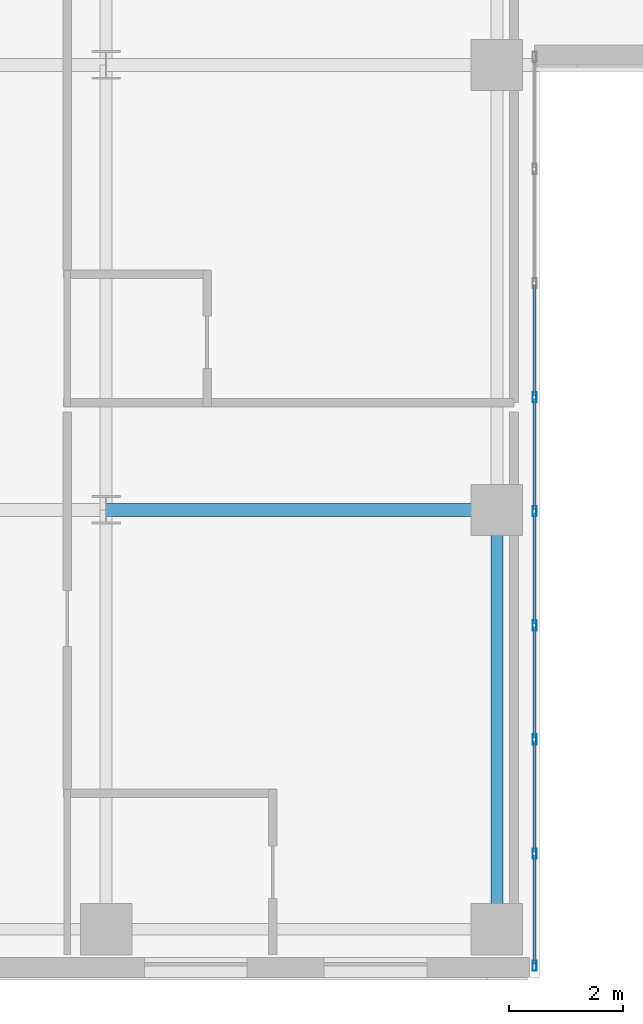
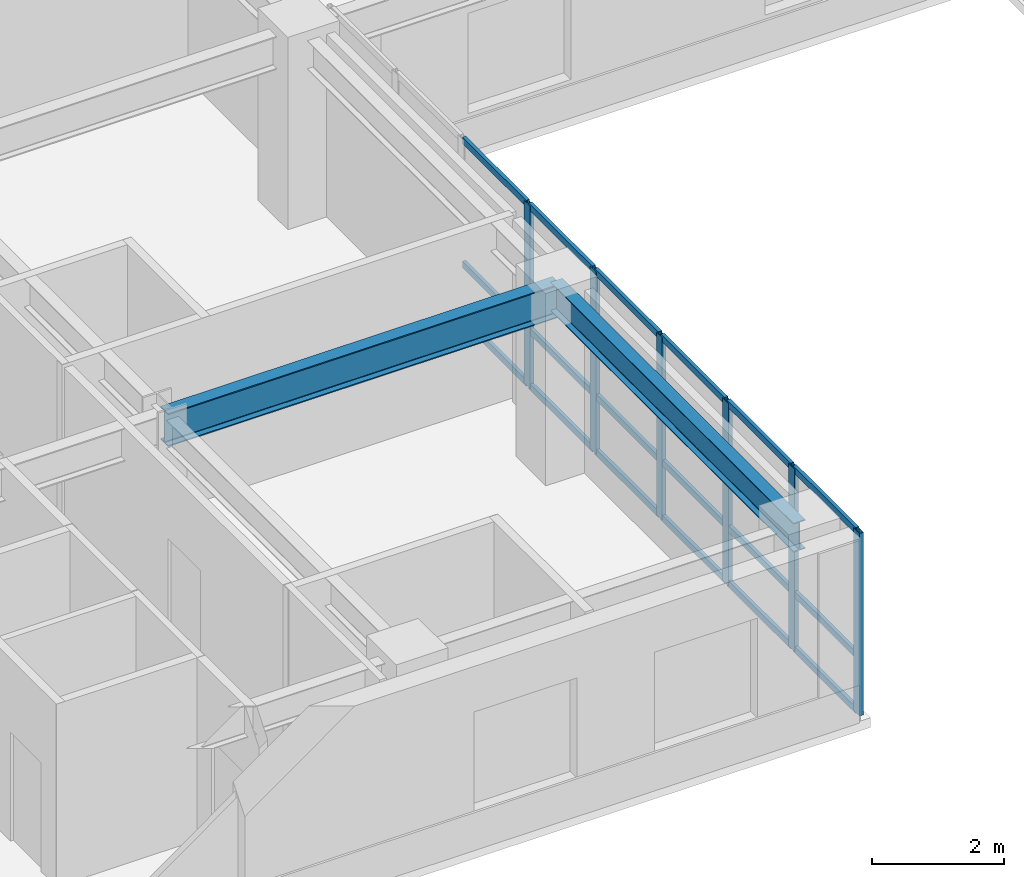
# One storey, part 2 of 24: 24 members, 2 beams, 1 element without a shape of its own.
"""IFC4 building model written with IfcOpenShell, lengths in metres."""

from ifc_helpers import new_model, si_unit, direction, frame, origin, origin_2d, place, context, subcontext, project, spatial, hollow_rectangle, i_section, extrude, source, transform, mapped, material, layer, layer_set, material_profile, profile_set, type_object, type_shapes, element, aggregate, save


model = new_model("IFC4")

# Units and contexts
model_context = context("Model", 3, precision=1e-05, world=origin(), true_north=direction((0.0, 1.0)))
body_context = subcontext(model_context, "Body", "Model", "MODEL_VIEW")
ifc_project = project(units=[si_unit("LENGTHUNIT", "METRE"), si_unit("AREAUNIT", "SQUARE_METRE"), si_unit("VOLUMEUNIT", "CUBIC_METRE"), si_unit("PLANEANGLEUNIT", "RADIAN"), si_unit("MASSUNIT", "GRAM", prefix="KILO")], contexts=[model_context])

# Site, building, storey
site_placement = place(None, origin())
site = spatial("IfcSite", under=ifc_project, at=site_placement, CompositionType="ELEMENT")
building_placement = place(site_placement, origin())
building = spatial("IfcBuilding", under=site, at=building_placement, Name="Tolvann Quenvar Hotel", CompositionType="ELEMENT")
storey_placement = place(building_placement, frame((0.0, 0.0, 81.699951171875)))
storey = spatial("IfcBuildingStorey", under=building, at=storey_placement, Name="L20", CompositionType="ELEMENT", Elevation=81.699951171875)

# Beams
ifc_material_1 = material(Name="Steel Grade 350", Category="steel")
ifc_material_profile_1 = material_profile(ifc_material_1, i_section(OverallWidth=0.22900390625, OverallDepth=0.612060546875, WebThickness=0.011962890625, FlangeThickness=0.01953125, FilletRadius=0.013916015625, at=origin_2d()), Name="610UB125")
ifc_profile_set_1 = profile_set([ifc_material_profile_1], Name="Steel Grade 350")
beam_type_1 = type_object("IfcBeamType", Name="BM_GIRD_610UB125", PredefinedType="BEAM", material=ifc_profile_set_1)
shared_shape_1 = source(origin(), body_context, "Body", "SweptSolid", [
    extrude(i_section(OverallWidth=0.22900390625, OverallDepth=0.612060546875, WebThickness=0.011962890625, FlangeThickness=0.01953125, FilletRadius=0.013916015625, at=origin_2d()), origin(), (0.0, 0.0, 1.0), 6.85009765625),
])
type_shapes(beam_type_1, [shared_shape_1])
beam_1_placement = place(storey_placement, frame((15.199951171875, 8.199951171875, 3.06396484375), z_axis=(1.0, 0.0, 0.0), x_axis=(0.0, 1.0, 0.0)))
element("IfcBeam", 1, at=beam_1_placement, inside=storey, type_object=beam_type_1, Name="BM-L20-EW-3-D3-E3", PredefinedType="BEAM", context=body_context, shape_type="MappedRepresentation", body=[
    mapped(shared_shape_1, transform((0.0, 0.0, 0.0), x_axis=(1.0, 0.0, 0.0), y_axis=(0.0, 1.0, 0.0), z_axis=(0.0, 0.0, 1.0), scale=1.0)),
])
ifc_material_profile_2 = material_profile(ifc_material_1, i_section(OverallWidth=0.208984375, OverallDepth=0.532958984375, WebThickness=0.01025390625, FlangeThickness=0.015625, FilletRadius=0.013916015625, at=origin_2d()), Name="530UB92")
ifc_profile_set_2 = profile_set([ifc_material_profile_2], Name="Steel Grade 350")
beam_type_2 = type_object("IfcBeamType", Name="BM_GIRD_530UB92", PredefinedType="BEAM", material=ifc_profile_set_2)
shared_shape_2 = source(origin(), body_context, "Body", "SweptSolid", [
    extrude(i_section(OverallWidth=0.208984375, OverallDepth=0.532958984375, WebThickness=0.01025390625, FlangeThickness=0.015625, FilletRadius=0.013916015625, at=origin_2d()), origin(), (0.0, 0.0, 1.0), 7.349853515625),
])
type_shapes(beam_type_2, [shared_shape_2])
beam_2_placement = place(storey_placement, frame((22.050048828125, 0.85009765625, 3.103515625), z_axis=(0.0, 1.0, 0.0), x_axis=(-1.0, 0.0, 0.0)))
element("IfcBeam", 2, at=beam_2_placement, inside=storey, type_object=beam_type_2, Name="BM-L20-NS-E2-E3", PredefinedType="BEAM", context=body_context, shape_type="MappedRepresentation", body=[
    mapped(shared_shape_2, transform((0.0, 0.0, 0.0), x_axis=(1.0, 0.0, 0.0), y_axis=(0.0, 1.0, 0.0), z_axis=(0.0, 0.0, 1.0), scale=1.0)),
])

# Curtain wall, members
ifc_material_2 = material(Name="Thermally broken anodised architectural aluminium 6063-T6 and laminated low-E glass", Category="aluminium")
ifc_layer = layer(ifc_material_2, 0.179931640625)
ifc_layer_set = layer_set([ifc_layer], Name="Thermally broken anodised architectural aluminium 6063-T6 and laminated low-E glass")
curtain_wall_type = type_object("IfcCurtainWallType", Name="CW_SYS_SLOT_03", PredefinedType="USERDEFINED", material=ifc_layer_set)
curtain_wall_placement = place(storey_placement, origin())
curtain_wall = element("IfcCurtainWall", 3, at=curtain_wall_placement, inside=storey, type_object=curtain_wall_type, Name="Curtain Wall CW-SLOT-03 (CWR-L20-E05)", ObjectType="UNITISED CURTAIN WALL", PredefinedType="USERDEFINED")
ifc_material_3 = material(Name="Anodised architectural aluminium 6063-T6 framing", Category="aluminium")
ifc_material_profile_3 = material_profile(ifc_material_3, hollow_rectangle(XDim=0.070068359375, YDim=0.179931640625, WallThickness=0.00390625, at=origin_2d()), Name="180x70x4RHS")
ifc_profile_set_3 = profile_set([ifc_material_profile_3], Name="Anodised architectural aluminium 6063-T6 framing")
member_type_1 = type_object("IfcMemberType", Name="CW_MULL_180x70", PredefinedType="MULLION", material=ifc_profile_set_3)
shared_shape_3 = source(origin(), body_context, "Body", "SweptSolid", [
    extrude(hollow_rectangle(XDim=0.070068359375, YDim=0.179931640625, WallThickness=0.00390625, at=origin_2d()), origin(), (0.0, 0.0, 1.0), 3.3701171875),
])
type_shapes(member_type_1, [shared_shape_3])
member_1_placement = place(storey_placement, frame((22.7099609375, 0.2099609375, 0.0), z_axis=(0.0, 0.0, 1.0), x_axis=(-1.0, 0.0, 0.0)))
member_1 = element("IfcMember", 4, at=member_1_placement, type_object=member_type_1, Name="CW-SLOT-03 mullion 1", PredefinedType="MULLION", context=body_context, shape_type="MappedRepresentation", body=[
    mapped(shared_shape_3, transform((0.0, 0.0, 0.0), x_axis=(1.0, 0.0, 0.0), y_axis=(0.0, 1.0, 0.0), z_axis=(0.0, 0.0, 1.0), scale=1.0)),
])
member_2_placement = place(storey_placement, frame((22.7099609375, 2.175048828125, 0.0), z_axis=(0.0, 0.0, 1.0), x_axis=(-1.0, 0.0, 0.0)))
member_2 = element("IfcMember", 5, at=member_2_placement, type_object=member_type_1, Name="CW-SLOT-03 mullion 2", PredefinedType="MULLION", context=body_context, shape_type="MappedRepresentation", body=[
    mapped(shared_shape_3, transform((0.0, 0.0, 0.0), x_axis=(1.0, 0.0, 0.0), y_axis=(0.0, 1.0, 0.0), z_axis=(0.0, 0.0, 1.0), scale=1.0)),
])
member_3_placement = place(storey_placement, frame((22.7099609375, 4.175048828125, 0.0), z_axis=(0.0, 0.0, 1.0), x_axis=(-1.0, 0.0, 0.0)))
member_3 = element("IfcMember", 6, at=member_3_placement, type_object=member_type_1, Name="CW-SLOT-03 mullion 3", PredefinedType="MULLION", context=body_context, shape_type="MappedRepresentation", body=[
    mapped(shared_shape_3, transform((0.0, 0.0, 0.0), x_axis=(1.0, 0.0, 0.0), y_axis=(0.0, 1.0, 0.0), z_axis=(0.0, 0.0, 1.0), scale=1.0)),
])
member_4_placement = place(storey_placement, frame((22.7099609375, 6.175048828125, 0.0), z_axis=(0.0, 0.0, 1.0), x_axis=(-1.0, 0.0, 0.0)))
member_4 = element("IfcMember", 7, at=member_4_placement, type_object=member_type_1, Name="CW-SLOT-03 mullion 4", PredefinedType="MULLION", context=body_context, shape_type="MappedRepresentation", body=[
    mapped(shared_shape_3, transform((0.0, 0.0, 0.0), x_axis=(1.0, 0.0, 0.0), y_axis=(0.0, 1.0, 0.0), z_axis=(0.0, 0.0, 1.0), scale=1.0)),
])
member_5_placement = place(storey_placement, frame((22.7099609375, 8.175048828125, 0.0), z_axis=(0.0, 0.0, 1.0), x_axis=(-1.0, 0.0, 0.0)))
member_5 = element("IfcMember", 8, at=member_5_placement, type_object=member_type_1, Name="CW-SLOT-03 mullion 5", PredefinedType="MULLION", context=body_context, shape_type="MappedRepresentation", body=[
    mapped(shared_shape_3, transform((0.0, 0.0, 0.0), x_axis=(1.0, 0.0, 0.0), y_axis=(0.0, 1.0, 0.0), z_axis=(0.0, 0.0, 1.0), scale=1.0)),
])
member_6_placement = place(storey_placement, frame((22.7099609375, 10.175048828125, 0.0), z_axis=(0.0, 0.0, 1.0), x_axis=(-1.0, 0.0, 0.0)))
member_6 = element("IfcMember", 9, at=member_6_placement, type_object=member_type_1, Name="CW-SLOT-03 mullion 6", PredefinedType="MULLION", context=body_context, shape_type="MappedRepresentation", body=[
    mapped(shared_shape_3, transform((0.0, 0.0, 0.0), x_axis=(1.0, 0.0, 0.0), y_axis=(0.0, 1.0, 0.0), z_axis=(0.0, 0.0, 1.0), scale=1.0)),
])
ifc_material_profile_4 = material_profile(ifc_material_3, hollow_rectangle(XDim=0.06005859375, YDim=0.1201171875, WallThickness=0.00341796875, at=origin_2d()), Name="120x60x3.5RHS")
ifc_profile_set_4 = profile_set([ifc_material_profile_4], Name="Anodised architectural aluminium 6063-T6 framing")
member_type_2 = type_object("IfcMemberType", Name="CW_TRAN_120x60", PredefinedType="USERDEFINED", material=ifc_profile_set_4)
shared_shape_4 = source(origin(), body_context, "Body", "SweptSolid", [
    extrude(hollow_rectangle(XDim=0.06005859375, YDim=0.1201171875, WallThickness=0.00341796875, at=origin_2d()), origin(), (0.0, 0.0, 1.0), 1.894775390625),
])
member_7_placement = place(storey_placement, frame((22.7099609375, 0.2451171875, 0.030029296875), z_axis=(0.0, 1.0, 0.0), x_axis=(-1.0, 0.0, 0.0)))
member_7 = element("IfcMember", 10, at=member_7_placement, type_object=member_type_2, Name="CW-SLOT-03 transom 1.1", ObjectType="TRANSOM", PredefinedType="USERDEFINED", context=body_context, shape_type="MappedRepresentation", body=[
    mapped(shared_shape_4, transform((0.0, 0.0, 0.0), x_axis=(1.0, 0.0, 0.0), y_axis=(0.0, 1.0, 0.0), z_axis=(0.0, 0.0, 1.0), scale=1.0)),
])
member_8_placement = place(storey_placement, frame((22.7099609375, 0.2451171875, 1.050048828125), z_axis=(0.0, 1.0, 0.0), x_axis=(-1.0, 0.0, 0.0)))
member_8 = element("IfcMember", 11, at=member_8_placement, type_object=member_type_2, Name="CW-SLOT-03 transom 1.2", ObjectType="TRANSOM", PredefinedType="USERDEFINED", context=body_context, shape_type="MappedRepresentation", body=[
    mapped(shared_shape_4, transform((0.0, 0.0, 0.0), x_axis=(1.0, 0.0, 0.0), y_axis=(0.0, 1.0, 0.0), z_axis=(0.0, 0.0, 1.0), scale=1.0)),
])
member_9_placement = place(storey_placement, frame((22.7099609375, 0.2451171875, 3.340087890625), z_axis=(0.0, 1.0, 0.0), x_axis=(-1.0, 0.0, 0.0)))
member_9 = element("IfcMember", 12, at=member_9_placement, type_object=member_type_2, Name="CW-SLOT-03 transom 1.3", ObjectType="TRANSOM", PredefinedType="USERDEFINED", context=body_context, shape_type="MappedRepresentation", body=[
    mapped(shared_shape_4, transform((0.0, 0.0, 0.0), x_axis=(1.0, 0.0, 0.0), y_axis=(0.0, 1.0, 0.0), z_axis=(0.0, 0.0, 1.0), scale=1.0)),
])
shared_shape_5 = source(origin(), body_context, "Body", "SweptSolid", [
    extrude(hollow_rectangle(XDim=0.06005859375, YDim=0.1201171875, WallThickness=0.00341796875, at=origin_2d()), origin(), (0.0, 0.0, 1.0), 1.929931640625),
])
type_shapes(member_type_2, [shared_shape_4, shared_shape_5])
member_10_placement = place(storey_placement, frame((22.7099609375, 2.2099609375, 0.030029296875), z_axis=(0.0, 1.0, 0.0), x_axis=(-1.0, 0.0, 0.0)))
member_10 = element("IfcMember", 13, at=member_10_placement, type_object=member_type_2, Name="CW-SLOT-03 transom 2.1", ObjectType="TRANSOM", PredefinedType="USERDEFINED", context=body_context, shape_type="MappedRepresentation", body=[
    mapped(shared_shape_5, transform((0.0, 0.0, 0.0), x_axis=(1.0, 0.0, 0.0), y_axis=(0.0, 1.0, 0.0), z_axis=(0.0, 0.0, 1.0), scale=1.0)),
])
member_11_placement = place(storey_placement, frame((22.7099609375, 2.2099609375, 1.050048828125), z_axis=(0.0, 1.0, 0.0), x_axis=(-1.0, 0.0, 0.0)))
member_11 = element("IfcMember", 14, at=member_11_placement, type_object=member_type_2, Name="CW-SLOT-03 transom 2.2", ObjectType="TRANSOM", PredefinedType="USERDEFINED", context=body_context, shape_type="MappedRepresentation", body=[
    mapped(shared_shape_5, transform((0.0, 0.0, 0.0), x_axis=(1.0, 0.0, 0.0), y_axis=(0.0, 1.0, 0.0), z_axis=(0.0, 0.0, 1.0), scale=1.0)),
])
member_12_placement = place(storey_placement, frame((22.7099609375, 2.2099609375, 3.340087890625), z_axis=(0.0, 1.0, 0.0), x_axis=(-1.0, 0.0, 0.0)))
member_12 = element("IfcMember", 15, at=member_12_placement, type_object=member_type_2, Name="CW-SLOT-03 transom 2.3", ObjectType="TRANSOM", PredefinedType="USERDEFINED", context=body_context, shape_type="MappedRepresentation", body=[
    mapped(shared_shape_5, transform((0.0, 0.0, 0.0), x_axis=(1.0, 0.0, 0.0), y_axis=(0.0, 1.0, 0.0), z_axis=(0.0, 0.0, 1.0), scale=1.0)),
])
member_13_placement = place(storey_placement, frame((22.7099609375, 4.2099609375, 0.030029296875), z_axis=(0.0, 1.0, 0.0), x_axis=(-1.0, 0.0, 0.0)))
member_13 = element("IfcMember", 16, at=member_13_placement, type_object=member_type_2, Name="CW-SLOT-03 transom 3.1", ObjectType="TRANSOM", PredefinedType="USERDEFINED", context=body_context, shape_type="MappedRepresentation", body=[
    mapped(shared_shape_5, transform((0.0, 0.0, 0.0), x_axis=(1.0, 0.0, 0.0), y_axis=(0.0, 1.0, 0.0), z_axis=(0.0, 0.0, 1.0), scale=1.0)),
])
member_14_placement = place(storey_placement, frame((22.7099609375, 4.2099609375, 1.050048828125), z_axis=(0.0, 1.0, 0.0), x_axis=(-1.0, 0.0, 0.0)))
member_14 = element("IfcMember", 17, at=member_14_placement, type_object=member_type_2, Name="CW-SLOT-03 transom 3.2", ObjectType="TRANSOM", PredefinedType="USERDEFINED", context=body_context, shape_type="MappedRepresentation", body=[
    mapped(shared_shape_5, transform((0.0, 0.0, 0.0), x_axis=(1.0, 0.0, 0.0), y_axis=(0.0, 1.0, 0.0), z_axis=(0.0, 0.0, 1.0), scale=1.0)),
])
member_15_placement = place(storey_placement, frame((22.7099609375, 4.2099609375, 3.340087890625), z_axis=(0.0, 1.0, 0.0), x_axis=(-1.0, 0.0, 0.0)))
member_15 = element("IfcMember", 18, at=member_15_placement, type_object=member_type_2, Name="CW-SLOT-03 transom 3.3", ObjectType="TRANSOM", PredefinedType="USERDEFINED", context=body_context, shape_type="MappedRepresentation", body=[
    mapped(shared_shape_5, transform((0.0, 0.0, 0.0), x_axis=(1.0, 0.0, 0.0), y_axis=(0.0, 1.0, 0.0), z_axis=(0.0, 0.0, 1.0), scale=1.0)),
])
member_16_placement = place(storey_placement, frame((22.7099609375, 6.2099609375, 0.030029296875), z_axis=(0.0, 1.0, 0.0), x_axis=(-1.0, 0.0, 0.0)))
member_16 = element("IfcMember", 19, at=member_16_placement, type_object=member_type_2, Name="CW-SLOT-03 transom 4.1", ObjectType="TRANSOM", PredefinedType="USERDEFINED", context=body_context, shape_type="MappedRepresentation", body=[
    mapped(shared_shape_5, transform((0.0, 0.0, 0.0), x_axis=(1.0, 0.0, 0.0), y_axis=(0.0, 1.0, 0.0), z_axis=(0.0, 0.0, 1.0), scale=1.0)),
])
member_17_placement = place(storey_placement, frame((22.7099609375, 6.2099609375, 1.050048828125), z_axis=(0.0, 1.0, 0.0), x_axis=(-1.0, 0.0, 0.0)))
member_17 = element("IfcMember", 20, at=member_17_placement, type_object=member_type_2, Name="CW-SLOT-03 transom 4.2", ObjectType="TRANSOM", PredefinedType="USERDEFINED", context=body_context, shape_type="MappedRepresentation", body=[
    mapped(shared_shape_5, transform((0.0, 0.0, 0.0), x_axis=(1.0, 0.0, 0.0), y_axis=(0.0, 1.0, 0.0), z_axis=(0.0, 0.0, 1.0), scale=1.0)),
])
member_18_placement = place(storey_placement, frame((22.7099609375, 6.2099609375, 3.340087890625), z_axis=(0.0, 1.0, 0.0), x_axis=(-1.0, 0.0, 0.0)))
member_18 = element("IfcMember", 21, at=member_18_placement, type_object=member_type_2, Name="CW-SLOT-03 transom 4.3", ObjectType="TRANSOM", PredefinedType="USERDEFINED", context=body_context, shape_type="MappedRepresentation", body=[
    mapped(shared_shape_5, transform((0.0, 0.0, 0.0), x_axis=(1.0, 0.0, 0.0), y_axis=(0.0, 1.0, 0.0), z_axis=(0.0, 0.0, 1.0), scale=1.0)),
])
member_19_placement = place(storey_placement, frame((22.7099609375, 8.2099609375, 0.030029296875), z_axis=(0.0, 1.0, 0.0), x_axis=(-1.0, 0.0, 0.0)))
member_19 = element("IfcMember", 22, at=member_19_placement, type_object=member_type_2, Name="CW-SLOT-03 transom 5.1", ObjectType="TRANSOM", PredefinedType="USERDEFINED", context=body_context, shape_type="MappedRepresentation", body=[
    mapped(shared_shape_5, transform((0.0, 0.0, 0.0), x_axis=(1.0, 0.0, 0.0), y_axis=(0.0, 1.0, 0.0), z_axis=(0.0, 0.0, 1.0), scale=1.0)),
])
member_20_placement = place(storey_placement, frame((22.7099609375, 8.2099609375, 1.050048828125), z_axis=(0.0, 1.0, 0.0), x_axis=(-1.0, 0.0, 0.0)))
member_20 = element("IfcMember", 23, at=member_20_placement, type_object=member_type_2, Name="CW-SLOT-03 transom 5.2", ObjectType="TRANSOM", PredefinedType="USERDEFINED", context=body_context, shape_type="MappedRepresentation", body=[
    mapped(shared_shape_5, transform((0.0, 0.0, 0.0), x_axis=(1.0, 0.0, 0.0), y_axis=(0.0, 1.0, 0.0), z_axis=(0.0, 0.0, 1.0), scale=1.0)),
])
member_21_placement = place(storey_placement, frame((22.7099609375, 8.2099609375, 3.340087890625), z_axis=(0.0, 1.0, 0.0), x_axis=(-1.0, 0.0, 0.0)))
member_21 = element("IfcMember", 24, at=member_21_placement, type_object=member_type_2, Name="CW-SLOT-03 transom 5.3", ObjectType="TRANSOM", PredefinedType="USERDEFINED", context=body_context, shape_type="MappedRepresentation", body=[
    mapped(shared_shape_5, transform((0.0, 0.0, 0.0), x_axis=(1.0, 0.0, 0.0), y_axis=(0.0, 1.0, 0.0), z_axis=(0.0, 0.0, 1.0), scale=1.0)),
])
member_22_placement = place(storey_placement, frame((22.7099609375, 10.2099609375, 0.030029296875), z_axis=(0.0, 1.0, 0.0), x_axis=(-1.0, 0.0, 0.0)))
member_22 = element("IfcMember", 25, at=member_22_placement, type_object=member_type_2, Name="CW-SLOT-03 transom 6.1", ObjectType="TRANSOM", PredefinedType="USERDEFINED", context=body_context, shape_type="MappedRepresentation", body=[
    mapped(shared_shape_5, transform((0.0, 0.0, 0.0), x_axis=(1.0, 0.0, 0.0), y_axis=(0.0, 1.0, 0.0), z_axis=(0.0, 0.0, 1.0), scale=1.0)),
])
member_23_placement = place(storey_placement, frame((22.7099609375, 10.2099609375, 1.050048828125), z_axis=(0.0, 1.0, 0.0), x_axis=(-1.0, 0.0, 0.0)))
member_23 = element("IfcMember", 26, at=member_23_placement, type_object=member_type_2, Name="CW-SLOT-03 transom 6.2", ObjectType="TRANSOM", PredefinedType="USERDEFINED", context=body_context, shape_type="MappedRepresentation", body=[
    mapped(shared_shape_5, transform((0.0, 0.0, 0.0), x_axis=(1.0, 0.0, 0.0), y_axis=(0.0, 1.0, 0.0), z_axis=(0.0, 0.0, 1.0), scale=1.0)),
])
member_24_placement = place(storey_placement, frame((22.7099609375, 10.2099609375, 3.340087890625), z_axis=(0.0, 1.0, 0.0), x_axis=(-1.0, 0.0, 0.0)))
member_24 = element("IfcMember", 27, at=member_24_placement, type_object=member_type_2, Name="CW-SLOT-03 transom 6.3", ObjectType="TRANSOM", PredefinedType="USERDEFINED", context=body_context, shape_type="MappedRepresentation", body=[
    mapped(shared_shape_5, transform((0.0, 0.0, 0.0), x_axis=(1.0, 0.0, 0.0), y_axis=(0.0, 1.0, 0.0), z_axis=(0.0, 0.0, 1.0), scale=1.0)),
])
aggregate(curtain_wall, [member_1, member_2, member_3, member_4, member_5, member_6, member_7, member_8, member_9, member_10, member_11, member_12, member_13, member_14, member_15, member_16, member_17, member_18, member_19, member_20, member_21, member_22, member_23, member_24])

save(model, "model.ifc")
